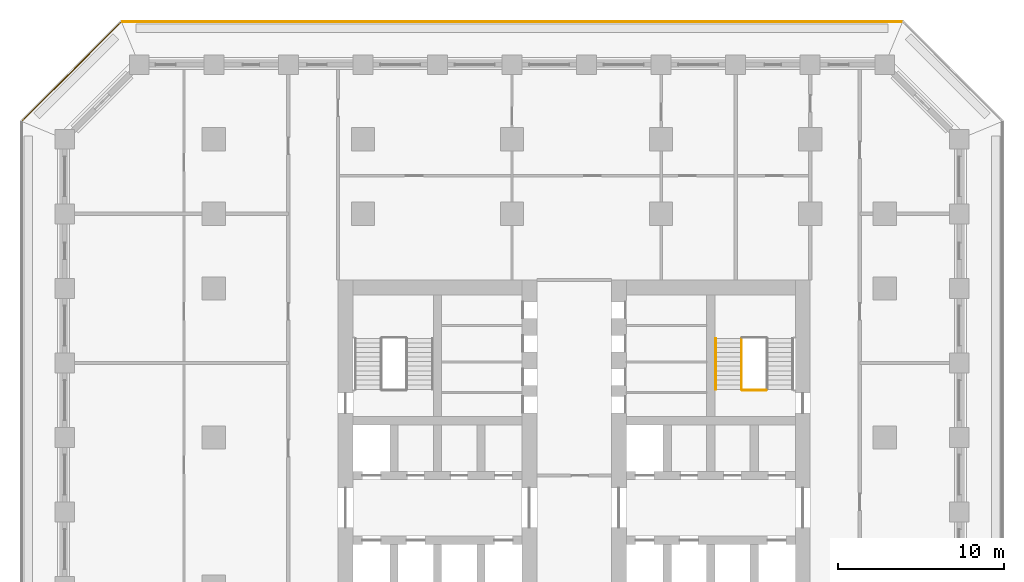
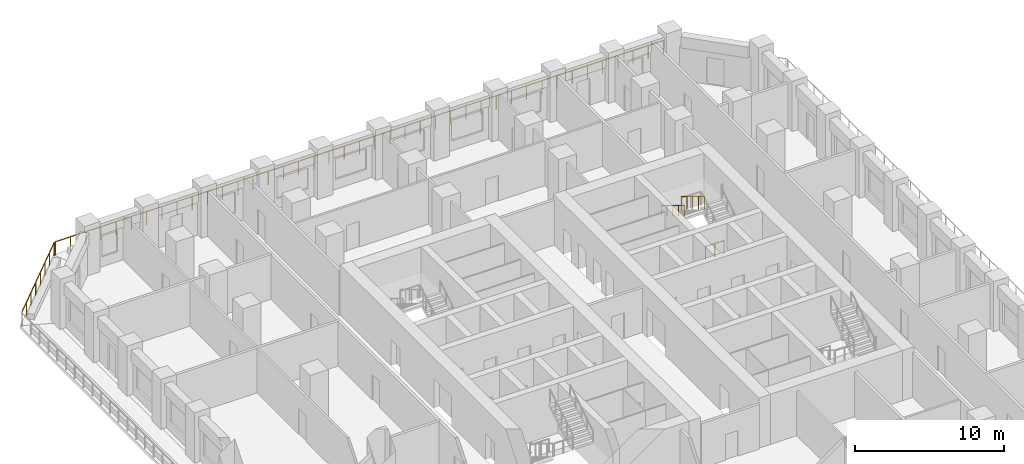
# One storey, part 14 of 16: 5 railings.
"""IFC4 building model written with IfcOpenShell, lengths in metres."""

import ifcopenshell
import ifcopenshell.guid

model = None  # the IFC model being written
_history = None  # IfcOwnerHistory: only IFC2X3 demands one
_inside = {}  # id of a spatial element -> (the spatial element, [elements in it])
_under = {}  # id of a project, library or spatial element -> (it, [spatial elements below it])
_declared = {}  # id of a project -> (the project, [libraries it declares])
_typed = {}  # id of a type object -> (the type object, [elements of that type])
_made_of = {}  # id of a material, layer set ... -> (it, [elements and type objects made of it])


def new_model(schema):
    """Start an empty IFC model of exactly this schema.

    Asked for "IFC4X3", IfcOpenShell would pick the latest addendum, in which some entities
    have other attributes; the version numbers below select the first issue.
    IFC2X3 requires an IfcOwnerHistory on every rooted entity: one is made here for all.
    """
    global model, _history
    if schema == "IFC4X3":
        model = ifcopenshell.file(schema_version=(4, 3, 0, 0))
    else:
        model = ifcopenshell.file(schema=schema)
    _inside.clear()
    _under.clear()
    _declared.clear()
    _typed.clear()
    _made_of.clear()
    _history = None
    if model.schema == "IFC2X3":
        org = make("IfcOrganization", Name="unknown")
        user = make(
            "IfcPersonAndOrganization",
            ThePerson=make("IfcPerson", FamilyName="unknown"),
            TheOrganization=org,
        )
        app = make(
            "IfcApplication",
            ApplicationDeveloper=org,
            Version="unknown",
            ApplicationFullName="unknown",
            ApplicationIdentifier="unknown",
        )
        _history = make(
            "IfcOwnerHistory",
            OwningUser=user,
            OwningApplication=app,
            ChangeAction="ADDED",
            CreationDate=0,
        )
    return model


def make(cls, **values):
    """One entity of the class cls with the attributes given. An attribute that is None is left unset."""
    return model.create_entity(
        cls, **{name: value for name, value in values.items() if value is not None}
    )


def rooted(cls, **values):
    """An entity with a GlobalId (a new one), such as an element, a storey or a relation."""
    return make(cls, GlobalId=ifcopenshell.guid.new(), OwnerHistory=_history, **values)


def si_unit(unit_type, name, prefix=None):
    """IfcSIUnit, for example si_unit("LENGTHUNIT", "METRE", prefix="MILLI")."""
    return make("IfcSIUnit", UnitType=unit_type, Prefix=prefix, Name=name)


def assignment(units):
    """IfcUnitAssignment: the units of a project."""
    return None if units is None else make("IfcUnitAssignment", Units=units)


def point(xyz):
    """IfcCartesianPoint."""
    return None if xyz is None else make("IfcCartesianPoint", Coordinates=xyz)


def direction(xyz):
    """IfcDirection."""
    return None if xyz is None else make("IfcDirection", DirectionRatios=xyz)


def frame(location, z_axis=None, x_axis=None):
    """IfcAxis2Placement3D, a coordinate frame: its origin and axes. An axis left out is left unset."""
    return make(
        "IfcAxis2Placement3D",
        Location=point(location),
        Axis=direction(z_axis),
        RefDirection=direction(x_axis),
    )


def frame_2d(location, x_axis=None):
    """IfcAxis2Placement2D, a coordinate frame in the plane: its origin and x axis."""
    return make(
        "IfcAxis2Placement2D", Location=point(location), RefDirection=direction(x_axis)
    )


def origin():
    """The frame at (0, 0, 0) with its axes left unset."""
    return frame((0.0, 0.0, 0.0))


def origin_2d():
    """The frame at (0, 0) in the plane with its x axis left unset."""
    return frame_2d((0.0, 0.0))


def place(relative_to, where):
    """IfcLocalPlacement: puts the frame where relative to a parent placement (None: the world)."""
    return make(
        "IfcLocalPlacement", PlacementRelTo=relative_to, RelativePlacement=where
    )


def context(
    kind, dimensions, precision=None, world=None, true_north=None, identifier=None
):
    """IfcGeometricRepresentationContext, for example the 3D "Model" context."""
    return make(
        "IfcGeometricRepresentationContext",
        ContextIdentifier=identifier,
        ContextType=kind,
        CoordinateSpaceDimension=dimensions,
        Precision=precision,
        WorldCoordinateSystem=world,
        TrueNorth=true_north,
    )


def subcontext(parent, identifier, kind, view, scale=None):
    """IfcGeometricRepresentationSubContext, for example "Body" below "Model"."""
    return make(
        "IfcGeometricRepresentationSubContext",
        ContextIdentifier=identifier,
        ContextType=kind,
        ParentContext=parent,
        TargetScale=scale,
        TargetView=view,
    )


def project(units=None, contexts=None):
    """IfcProject with its units and contexts."""
    return rooted(
        "IfcProject",
        Name="project",
        RepresentationContexts=contexts,
        UnitsInContext=assignment(units),
    )


def spatial(cls, under=None, at=None, **own):
    """A site, building, storey or space (cls), placed at a placement, below another one or the project."""
    s = rooted(cls, ObjectPlacement=at, **own)
    if under is not None:
        _under.setdefault(under.id(), (under, []))[1].append(s)
    return s


def profile(cls, at=None, kind="AREA", **sizes):
    """A parametric profile (cls). Its sizes go by their IFC names, for example OverallWidth=200.0."""
    return make(cls, ProfileType=kind, Position=at, **sizes)


def circle(**sizes):
    """IfcCircleProfileDef."""
    return profile("IfcCircleProfileDef", **sizes)


def extrude(swept, where, along, depth):
    """IfcExtrudedAreaSolid: the profile swept, set in the frame where, extruded along a direction by depth."""
    return make(
        "IfcExtrudedAreaSolid",
        SweptArea=swept,
        Position=where,
        ExtrudedDirection=direction(along),
        Depth=depth,
    )


def shape(context_of_items, identifier, shape_type, items):
    """IfcShapeRepresentation: the items that make up one representation, for example the "Body"."""
    return make(
        "IfcShapeRepresentation",
        ContextOfItems=context_of_items,
        RepresentationIdentifier=identifier,
        RepresentationType=shape_type,
        Items=items,
    )


def material(Name=None, Category=None):
    """IfcMaterial."""
    return make("IfcMaterial", Name=Name, Category=Category)


def made_of(thing, what):
    """Note that an element or type object is made of a material, layer set ...; save() writes the relation."""
    if what is not None:
        _made_of.setdefault(what.id(), (what, []))[1].append(thing)
    return thing


def type_object(cls, material=None, **own):
    """A type object (cls), such as IfcWallType, which elements share."""
    return made_of(rooted(cls, **own), material)


def element(
    cls,
    number,
    at=None,
    inside=None,
    cuts=None,
    type_object=None,
    material=None,
    context=None,
    identifier="Body",
    shape_type=None,
    held_by="IfcProductDefinitionShape",
    body=None,
    shapes=None,
    **own,
):
    """One element of the class cls, such as IfcWall. Its Tag is "e" and its number.

    at: its placement. inside: the storey or other place that contains it. cuts: it is an
    opening in that element (IfcRelVoidsElement). A single representation is given by context,
    identifier, shape_type and body (its items); several are given by shapes. held_by: the class
    of the entity that holds the representations. save() writes the other relations.
    """
    e = rooted(cls, Tag="e%d" % number, ObjectPlacement=at, **own)
    if body is not None:
        shapes = [shape(context, identifier, shape_type, body)]
    if shapes is not None:
        e.Representation = make(held_by, Representations=shapes)
    if inside is not None:
        _inside.setdefault(inside.id(), (inside, []))[1].append(e)
    if cuts is not None:
        rooted(
            "IfcRelVoidsElement", RelatingBuildingElement=cuts, RelatedOpeningElement=e
        )
    if type_object is not None:
        _typed.setdefault(type_object.id(), (type_object, []))[1].append(e)
    return made_of(e, material)


def aggregate(whole, parts):
    """IfcRelAggregates: a whole, such as a stair, and the parts it consists of."""
    return rooted("IfcRelAggregates", RelatingObject=whole, RelatedObjects=parts)


def save(model, path):
    """Write the relations noted so far, then the file.

    IfcRelAggregates (storeys below a building ...), IfcRelContainedInSpatialStructure (elements
    in a storey), IfcRelDefinesByType, IfcRelAssociatesMaterial and IfcRelDeclares: one each for
    every whole, place, type object, material and project.
    """
    for whole, parts in _under.values():
        aggregate(whole, parts)
    for where, things in _inside.values():
        rooted(
            "IfcRelContainedInSpatialStructure",
            RelatedElements=things,
            RelatingStructure=where,
        )
    for kind, things in _typed.values():
        rooted("IfcRelDefinesByType", RelatedObjects=things, RelatingType=kind)
    for what, things in _made_of.values():
        rooted("IfcRelAssociatesMaterial", RelatedObjects=things, RelatingMaterial=what)
    for by, libraries in _declared.values():
        rooted("IfcRelDeclares", RelatingContext=by, RelatedDefinitions=libraries)
    model.write(path)


model = new_model("IFC4")

# Units and contexts
model_context = context("Model", 3, precision=1e-05, world=origin(), true_north=direction((0.0, 1.0)))
body_context = subcontext(model_context, "Body", "Model", "MODEL_VIEW")
ifc_project = project(units=[si_unit("LENGTHUNIT", "METRE"), si_unit("AREAUNIT", "SQUARE_METRE"), si_unit("VOLUMEUNIT", "CUBIC_METRE"), si_unit("PLANEANGLEUNIT", "RADIAN"), si_unit("MASSUNIT", "GRAM", prefix="KILO")], contexts=[model_context])

# Site, building, storey
site_placement = place(None, origin())
site = spatial("IfcSite", under=ifc_project, at=site_placement, CompositionType="ELEMENT")
building_placement = place(site_placement, origin())
building = spatial("IfcBuilding", under=site, at=building_placement, Name="Corbel Stack Research Tower", CompositionType="ELEMENT")
storey_placement = place(building_placement, frame((0.0, 0.0, 120.800048828125)))
storey = spatial("IfcBuildingStorey", under=building, at=storey_placement, Name="L27", CompositionType="ELEMENT", Elevation=120.800048828125)

# Railings
ifc_material_1 = material(Name="Steel S355", Category="steel")
railing_type_1 = type_object("IfcRailingType", Name="Stair guard 1100", PredefinedType="GUARDRAIL", material=ifc_material_1)
railing_1_placement = place(storey_placement, frame((13.85009765625, 14.97998046875, 2.220703125)))
element("IfcRailing", 1, at=railing_1_placement, inside=storey, type_object=railing_type_1, Name="L27 ST-E2 stair guard 4", PredefinedType="GUARDRAIL", context=body_context, shape_type="SweptSolid", body=[
    extrude(circle(Radius=0.02392578125, at=origin_2d()), frame((0.0, 0.0, 1.076171875), z_axis=(0.0, -0.853666305674, 0.52082035152), x_axis=(1.0, 0.0, 0.0)), (0.0, 0.0, 1.0), 3.608154296875),
    extrude(circle(Radius=0.02099609375, at=origin_2d()), origin(), (0.0, 0.0, 1.0), 1.052001953125),
    extrude(circle(Radius=0.02099609375, at=origin_2d()), frame((0.0, -0.77001953125, 0.4697265625)), (0.0, 0.0, 1.0), 1.052001953125),
    extrude(circle(Radius=0.02099609375, at=origin_2d()), frame((0.0, -1.5400390625, 0.939453125)), (0.0, 0.0, 1.0), 1.052001953125),
    extrude(circle(Radius=0.02099609375, at=origin_2d()), frame((0.0, -2.31005859375, 1.409423828125)), (0.0, 0.0, 1.0), 1.052001953125),
    extrude(circle(Radius=0.02099609375, at=origin_2d()), frame((0.0, -3.080078125, 1.879150390625)), (0.0, 0.0, 1.0), 1.052001953125),
])
railing_2_placement = place(storey_placement, frame((15.35009765625, 11.85009765625, 0.0)))
element("IfcRailing", 2, at=railing_2_placement, inside=storey, type_object=railing_type_1, Name="L27 ST-E2 stair guard 5", PredefinedType="GUARDRAIL", context=body_context, shape_type="SweptSolid", body=[
    extrude(circle(Radius=0.02392578125, at=origin_2d()), frame((0.0, 0.0, 1.076171875), z_axis=(-1.0, 0.0, 0.0), x_axis=(0.0, -1.0, 0.0)), (0.0, 0.0, 1.0), 1.4501953125),
    extrude(circle(Radius=0.02099609375, at=origin_2d()), origin(), (0.0, 0.0, 1.0), 1.052001953125),
    extrude(circle(Radius=0.02099609375, at=origin_2d()), frame((-0.72509765625, 0.0, 0.0)), (0.0, 0.0, 1.0), 1.052001953125),
    extrude(circle(Radius=0.02099609375, at=origin_2d()), frame((-1.4501953125, 0.0, 0.0)), (0.0, 0.0, 1.0), 1.052001953125),
])
ifc_material_2 = material(Name="Steel S355", Category="steel")
railing_type_2 = type_object("IfcRailingType", Name="Stair handrail 900", PredefinedType="HANDRAIL", material=ifc_material_2)
railing_3_placement = place(storey_placement, frame((12.300048828125, 14.97998046875, 2.220703125)))
element("IfcRailing", 3, at=railing_3_placement, inside=storey, type_object=railing_type_2, Name="L27 ST-E2 stair handrail 2", PredefinedType="HANDRAIL", context=body_context, shape_type="SweptSolid", body=[
    extrude(circle(Radius=0.02392578125, at=origin_2d()), frame((0.0, 0.0, 0.8759765625), z_axis=(0.0, -0.853666305674, 0.52082035152), x_axis=(1.0, 0.0, 0.0)), (0.0, 0.0, 1.0), 3.608154296875),
    extrude(circle(Radius=0.02099609375, at=origin_2d()), origin(), (0.0, 0.0, 1.0), 0.851806640625),
    extrude(circle(Radius=0.02099609375, at=origin_2d()), frame((0.0, -0.77001953125, 0.4697265625)), (0.0, 0.0, 1.0), 0.851806640625),
    extrude(circle(Radius=0.02099609375, at=origin_2d()), frame((0.0, -1.5400390625, 0.939453125)), (0.0, 0.0, 1.0), 0.851806640625),
    extrude(circle(Radius=0.02099609375, at=origin_2d()), frame((0.0, -2.31005859375, 1.409423828125)), (0.0, 0.0, 1.0), 0.851806640625),
    extrude(circle(Radius=0.02099609375, at=origin_2d()), frame((0.0, -3.080078125, 1.879150390625)), (0.0, 0.0, 1.0), 0.851806640625),
])
ifc_material_3 = material(Name="Powder-coated steel guard", Category="steel")
railing_type_3 = type_object("IfcRailingType", Name="Steel and glass guard 1100", PredefinedType="GUARDRAIL", material=ifc_material_3)
railing_4_placement = place(storey_placement, frame((23.50537109375, 34.10009765625, 0.0)))
element("IfcRailing", 4, at=railing_4_placement, inside=storey, type_object=railing_type_3, Name="Loggia guard L27 N", PredefinedType="GUARDRAIL", context=body_context, shape_type="SweptSolid", body=[
    extrude(circle(Radius=0.02392578125, at=origin_2d()), frame((0.0, 0.0, 1.076171875), z_axis=(-1.0, 0.0, 0.0), x_axis=(0.0, -1.0, 0.0)), (0.0, 0.0, 1.0), 47.0107421875),
    extrude(circle(Radius=0.02099609375, at=origin_2d()), origin(), (0.0, 0.0, 1.0), 1.052001953125),
    extrude(circle(Radius=0.02099609375, at=origin_2d()), frame((-1.17529296875, 0.0, 0.0)), (0.0, 0.0, 1.0), 1.052001953125),
    extrude(circle(Radius=0.02099609375, at=origin_2d()), frame((-2.3505859375, 0.0, 0.0)), (0.0, 0.0, 1.0), 1.052001953125),
    extrude(circle(Radius=0.02099609375, at=origin_2d()), frame((-3.52587890625, 0.0, 0.0)), (0.0, 0.0, 1.0), 1.052001953125),
    extrude(circle(Radius=0.02099609375, at=origin_2d()), frame((-4.701171875, 0.0, 0.0)), (0.0, 0.0, 1.0), 1.052001953125),
    extrude(circle(Radius=0.02099609375, at=origin_2d()), frame((-5.87646484375, 0.0, 0.0)), (0.0, 0.0, 1.0), 1.052001953125),
    extrude(circle(Radius=0.02099609375, at=origin_2d()), frame((-7.051513671875, 0.0, 0.0)), (0.0, 0.0, 1.0), 1.052001953125),
    extrude(circle(Radius=0.02099609375, at=origin_2d()), frame((-8.226806640625, 0.0, 0.0)), (0.0, 0.0, 1.0), 1.052001953125),
    extrude(circle(Radius=0.02099609375, at=origin_2d()), frame((-9.402099609375, 0.0, 0.0)), (0.0, 0.0, 1.0), 1.052001953125),
    extrude(circle(Radius=0.02099609375, at=origin_2d()), frame((-10.577392578125, 0.0, 0.0)), (0.0, 0.0, 1.0), 1.052001953125),
    extrude(circle(Radius=0.02099609375, at=origin_2d()), frame((-11.752685546875, 0.0, 0.0)), (0.0, 0.0, 1.0), 1.052001953125),
    extrude(circle(Radius=0.02099609375, at=origin_2d()), frame((-12.927978515625, 0.0, 0.0)), (0.0, 0.0, 1.0), 1.052001953125),
    extrude(circle(Radius=0.02099609375, at=origin_2d()), frame((-14.103271484375, 0.0, 0.0)), (0.0, 0.0, 1.0), 1.052001953125),
    extrude(circle(Radius=0.02099609375, at=origin_2d()), frame((-15.278564453125, 0.0, 0.0)), (0.0, 0.0, 1.0), 1.052001953125),
    extrude(circle(Radius=0.02099609375, at=origin_2d()), frame((-16.453857421875, 0.0, 0.0)), (0.0, 0.0, 1.0), 1.052001953125),
    extrude(circle(Radius=0.02099609375, at=origin_2d()), frame((-17.62890625, 0.0, 0.0)), (0.0, 0.0, 1.0), 1.052001953125),
    extrude(circle(Radius=0.02099609375, at=origin_2d()), frame((-18.80419921875, 0.0, 0.0)), (0.0, 0.0, 1.0), 1.052001953125),
    extrude(circle(Radius=0.02099609375, at=origin_2d()), frame((-19.9794921875, 0.0, 0.0)), (0.0, 0.0, 1.0), 1.052001953125),
    extrude(circle(Radius=0.02099609375, at=origin_2d()), frame((-21.15478515625, 0.0, 0.0)), (0.0, 0.0, 1.0), 1.052001953125),
    extrude(circle(Radius=0.02099609375, at=origin_2d()), frame((-22.330078125, 0.0, 0.0)), (0.0, 0.0, 1.0), 1.052001953125),
    extrude(circle(Radius=0.02099609375, at=origin_2d()), frame((-23.50537109375, 0.0, 0.0)), (0.0, 0.0, 1.0), 1.052001953125),
    extrude(circle(Radius=0.02099609375, at=origin_2d()), frame((-24.6806640625, 0.0, 0.0)), (0.0, 0.0, 1.0), 1.052001953125),
    extrude(circle(Radius=0.02099609375, at=origin_2d()), frame((-25.85595703125, 0.0, 0.0)), (0.0, 0.0, 1.0), 1.052001953125),
    extrude(circle(Radius=0.02099609375, at=origin_2d()), frame((-27.03125, 0.0, 0.0)), (0.0, 0.0, 1.0), 1.052001953125),
    extrude(circle(Radius=0.02099609375, at=origin_2d()), frame((-28.20654296875, 0.0, 0.0)), (0.0, 0.0, 1.0), 1.052001953125),
    extrude(circle(Radius=0.02099609375, at=origin_2d()), frame((-29.3818359375, 0.0, 0.0)), (0.0, 0.0, 1.0), 1.052001953125),
    extrude(circle(Radius=0.02099609375, at=origin_2d()), frame((-30.556884765625, 0.0, 0.0)), (0.0, 0.0, 1.0), 1.052001953125),
    extrude(circle(Radius=0.02099609375, at=origin_2d()), frame((-31.732177734375, 0.0, 0.0)), (0.0, 0.0, 1.0), 1.052001953125),
    extrude(circle(Radius=0.02099609375, at=origin_2d()), frame((-32.907470703125, 0.0, 0.0)), (0.0, 0.0, 1.0), 1.052001953125),
    extrude(circle(Radius=0.02099609375, at=origin_2d()), frame((-34.082763671875, 0.0, 0.0)), (0.0, 0.0, 1.0), 1.052001953125),
    extrude(circle(Radius=0.02099609375, at=origin_2d()), frame((-35.258056640625, 0.0, 0.0)), (0.0, 0.0, 1.0), 1.052001953125),
    extrude(circle(Radius=0.02099609375, at=origin_2d()), frame((-36.433349609375, 0.0, 0.0)), (0.0, 0.0, 1.0), 1.052001953125),
    extrude(circle(Radius=0.02099609375, at=origin_2d()), frame((-37.608642578125, 0.0, 0.0)), (0.0, 0.0, 1.0), 1.052001953125),
    extrude(circle(Radius=0.02099609375, at=origin_2d()), frame((-38.783935546875, 0.0, 0.0)), (0.0, 0.0, 1.0), 1.052001953125),
    extrude(circle(Radius=0.02099609375, at=origin_2d()), frame((-39.959228515625, 0.0, 0.0)), (0.0, 0.0, 1.0), 1.052001953125),
    extrude(circle(Radius=0.02099609375, at=origin_2d()), frame((-41.13427734375, 0.0, 0.0)), (0.0, 0.0, 1.0), 1.052001953125),
    extrude(circle(Radius=0.02099609375, at=origin_2d()), frame((-42.3095703125, 0.0, 0.0)), (0.0, 0.0, 1.0), 1.052001953125),
    extrude(circle(Radius=0.02099609375, at=origin_2d()), frame((-43.48486328125, 0.0, 0.0)), (0.0, 0.0, 1.0), 1.052001953125),
    extrude(circle(Radius=0.02099609375, at=origin_2d()), frame((-44.66015625, 0.0, 0.0)), (0.0, 0.0, 1.0), 1.052001953125),
    extrude(circle(Radius=0.02099609375, at=origin_2d()), frame((-45.83544921875, 0.0, 0.0)), (0.0, 0.0, 1.0), 1.052001953125),
    extrude(circle(Radius=0.02099609375, at=origin_2d()), frame((-47.0107421875, 0.0, 0.0)), (0.0, 0.0, 1.0), 1.052001953125),
])
railing_5_placement = place(storey_placement, frame((-23.627685546875, 34.04931640625, 0.0)))
element("IfcRailing", 5, at=railing_5_placement, inside=storey, type_object=railing_type_3, Name="Loggia guard L27 NW", PredefinedType="GUARDRAIL", context=body_context, shape_type="SweptSolid", body=[
    extrude(circle(Radius=0.02392578125, at=origin_2d()), frame((0.0, 0.0, 1.076171875), z_axis=(-0.707106781187, -0.707106781187, 0.0), x_axis=(0.707106781187, -0.707106781187, 0.0)), (0.0, 0.0, 1.0), 8.37451171875),
    extrude(circle(Radius=0.02099609375, at=origin_2d()), origin(), (0.0, 0.0, 1.0), 1.052001953125),
    extrude(circle(Radius=0.02099609375, at=origin_2d()), frame((-0.845947265625, -0.845947265625, 0.0)), (0.0, 0.0, 1.0), 1.052001953125),
    extrude(circle(Radius=0.02099609375, at=origin_2d()), frame((-1.69189453125, -1.69189453125, 0.0)), (0.0, 0.0, 1.0), 1.052001953125),
    extrude(circle(Radius=0.02099609375, at=origin_2d()), frame((-2.537841796875, -2.537841796875, 0.0)), (0.0, 0.0, 1.0), 1.052001953125),
    extrude(circle(Radius=0.02099609375, at=origin_2d()), frame((-3.3837890625, -3.3837890625, 0.0)), (0.0, 0.0, 1.0), 1.052001953125),
    extrude(circle(Radius=0.02099609375, at=origin_2d()), frame((-4.229736328125, -4.229736328125, 0.0)), (0.0, 0.0, 1.0), 1.052001953125),
    extrude(circle(Radius=0.02099609375, at=origin_2d()), frame((-5.07568359375, -5.07568359375, 0.0)), (0.0, 0.0, 1.0), 1.052001953125),
    extrude(circle(Radius=0.02099609375, at=origin_2d()), frame((-5.921630859375, -5.921630859375, 0.0)), (0.0, 0.0, 1.0), 1.052001953125),
])

save(model, "model.ifc")
